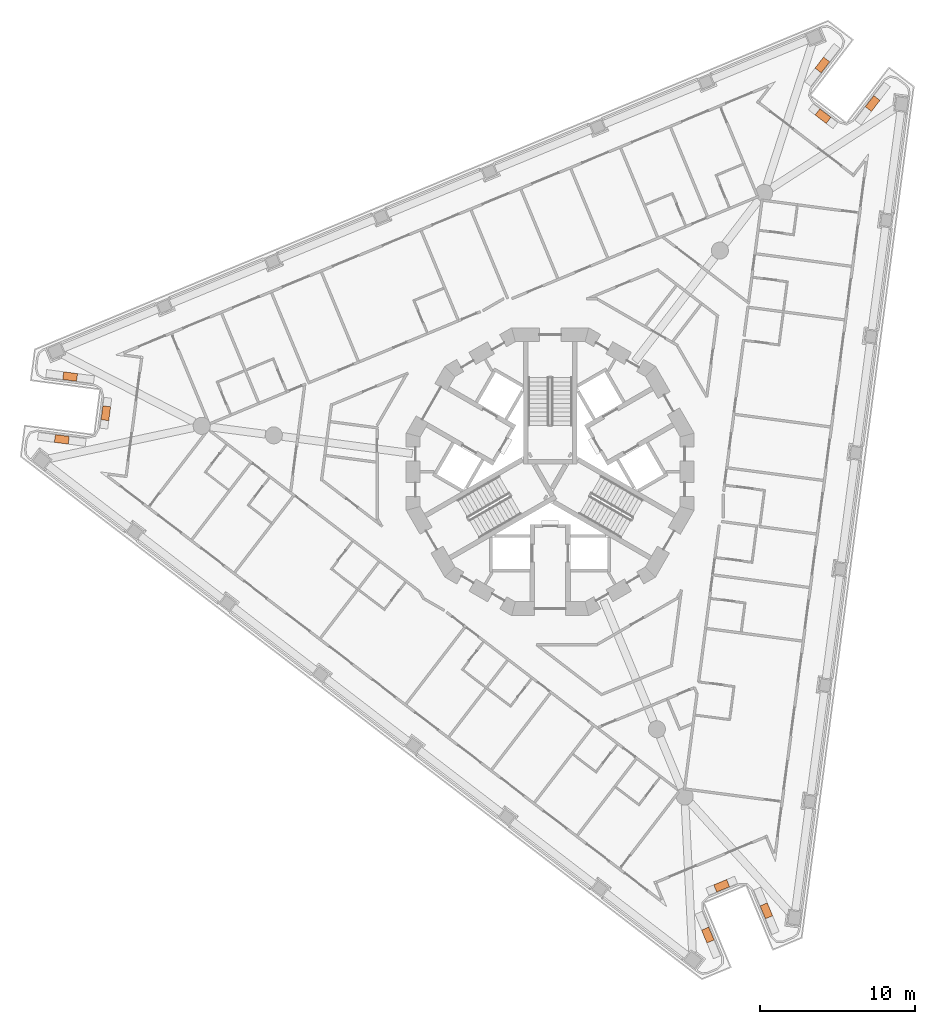
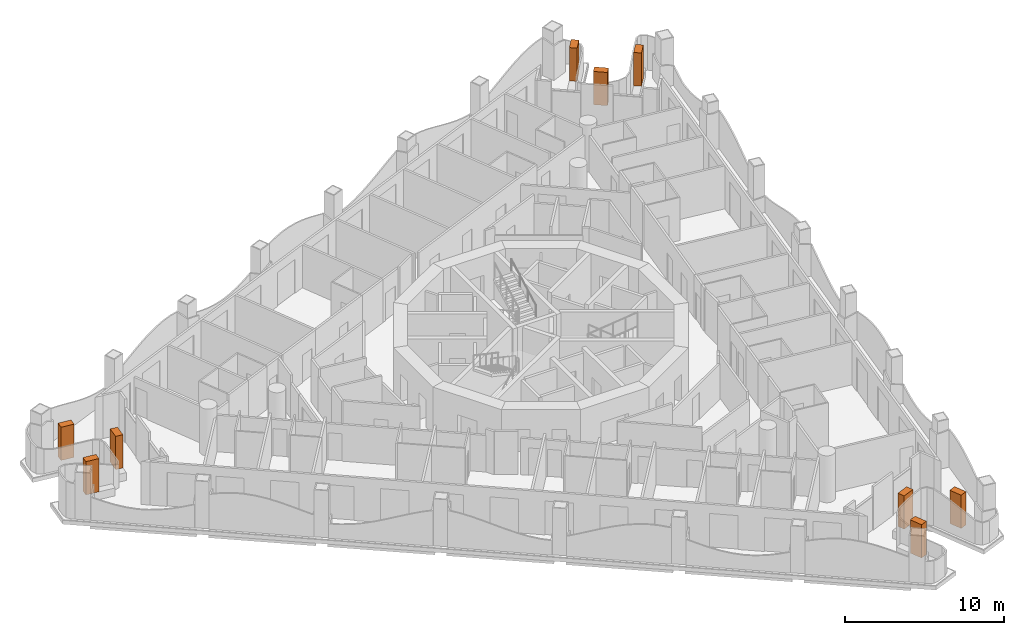
# One storey, part 17 of 17: 9 geographic elements.
"""IFC4 building model written with IfcOpenShell, lengths in metres."""

from ifc_helpers import new_model, si_unit, direction, frame, origin, origin_2d, place, context, subcontext, project, spatial, rectangle, extrude, element, save


model = new_model("IFC4")

# Units and contexts
model_context = context("Model", 3, precision=1e-05, world=origin(), true_north=direction((0.0, 1.0)))
body_context = subcontext(model_context, "Body", "Model", "MODEL_VIEW")
ifc_project = project(units=[si_unit("LENGTHUNIT", "METRE"), si_unit("AREAUNIT", "SQUARE_METRE"), si_unit("VOLUMEUNIT", "CUBIC_METRE"), si_unit("PLANEANGLEUNIT", "RADIAN"), si_unit("MASSUNIT", "GRAM", prefix="KILO")], contexts=[model_context])

# Site, building, storey
site_placement = place(None, origin())
site = spatial("IfcSite", under=ifc_project, at=site_placement, CompositionType="ELEMENT")
building_placement = place(site_placement, origin())
building = spatial("IfcBuilding", under=site, at=building_placement, Name="Trine Commons Tower", CompositionType="ELEMENT")
storey_placement = place(building_placement, frame((0.0, 0.0, 131.39990234375)))
storey = spatial("IfcBuildingStorey", under=building, at=storey_placement, Name="L33", CompositionType="ELEMENT", Elevation=131.39990234375)

# Geographic elements
for number, where, z_axis, x_axis, name in (
    (1, (48.54638671875, 64.58349609375, 0.60009765625), (0.0, 0.0, 1.0), (0.991446455978, -0.130514079426, 0.0), "Tree 1.1"),
    (2, (51.380615234375, 66.267822265625, 0.60009765625), (0.0, 0.0, 1.0), (0.130543496177, 0.991442583111, 0.0), "Tree 2.1"),
    (3, (49.078857421875, 68.62841796875, 0.60009765625), (0.0, 0.0, 1.0), (-0.991446000392, 0.130517540226, 0.0), "Tree 3.1"),
    (4, (97.531005859375, 88.697998046875, 0.60009765625), (0.0, 0.0, 1.0), (-0.608754505672, -0.793358652707, 0.0), "Tree 4.1"),
    (5, (97.57275390625, 85.4013671875, 0.60009765625), (0.0, 0.0, 1.0), (0.793335277627, -0.608784968008, 0.0), "Tree 5.1"),
    (6, (100.767822265625, 86.214111328125, 0.60009765625), (0.0, 0.0, 1.0), (0.6087683523, 0.793348027815, 0.0), "Tree 6.1"),
    (7, (93.922607421875, 34.21875, 0.60009765625), (0.0, 0.0, 1.0), (-0.382694719654, 0.923874857082, 0.0), "Tree 7.1"),
    (8, (91.046630859375, 35.830810546875, 0.60009765625), (0.0, 0.0, 1.0), (-0.923877528773, -0.382688269782, 0.0), "Tree 8.1"),
    (9, (90.153076171875, 32.657470703125, 0.60009765625), (0.0, 0.0, 1.0), (0.382694719654, -0.923874857082, 0.0), "Tree 9.1"),
):
    element("IfcGeographicElement", number, at=place(storey_placement, frame(where, z_axis=z_axis, x_axis=x_axis)), inside=storey, Name=name, ObjectType="TREE Tabebuia rosea", PredefinedType="USERDEFINED", context=body_context, shape_type="SweptSolid", body=[
        extrude(rectangle(XDim=0.89990234375, YDim=0.5, at=origin_2d()), origin(), (0.0, 0.0, 1.0), 2.550048828125),
    ])

save(model, "model.ifc")
